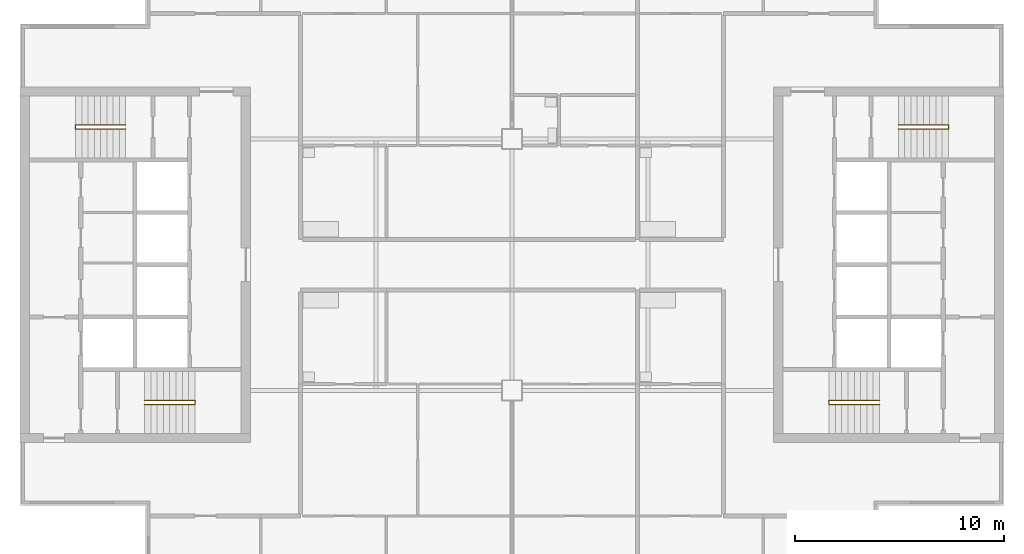
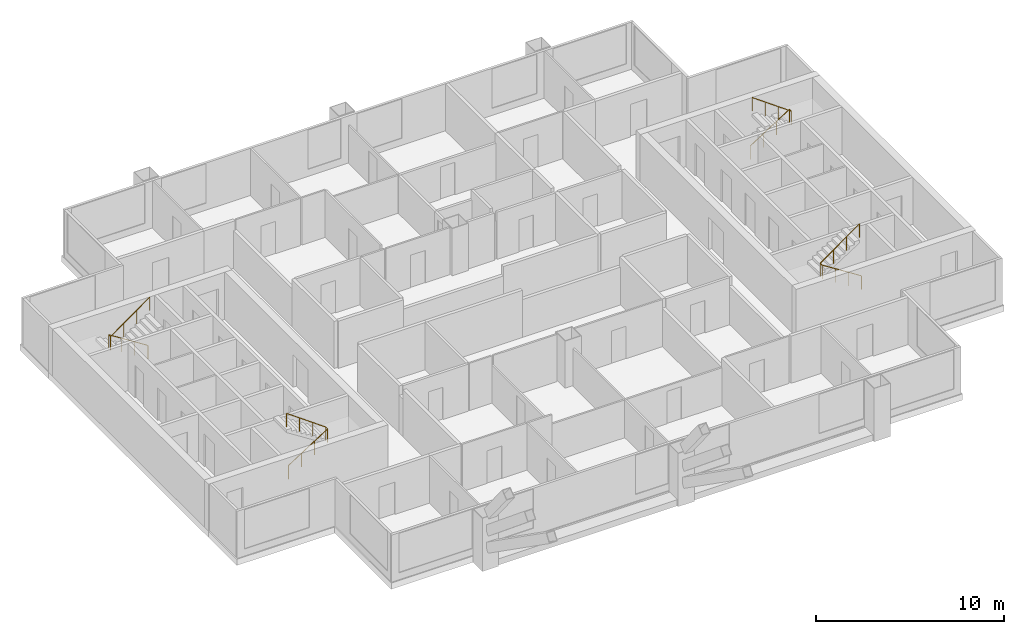
# One storey, part 7 of 8: 4 railings.
"""IFC4 building model written with IfcOpenShell, lengths in metres."""

from ifc_helpers import new_model, si_unit, direction, frame, origin, origin_2d, place, context, subcontext, project, spatial, circle, extrude, material, type_object, element, save


model = new_model("IFC4")

# Units and contexts
model_context = context("Model", 3, precision=1e-05, world=origin(), true_north=direction((0.0, 1.0)))
body_context = subcontext(model_context, "Body", "Model", "MODEL_VIEW")
ifc_project = project(units=[si_unit("LENGTHUNIT", "METRE"), si_unit("AREAUNIT", "SQUARE_METRE"), si_unit("VOLUMEUNIT", "CUBIC_METRE"), si_unit("PLANEANGLEUNIT", "RADIAN"), si_unit("MASSUNIT", "GRAM", prefix="KILO")], contexts=[model_context])

# Site, building, storey
site_placement = place(None, origin())
site = spatial("IfcSite", under=ifc_project, at=site_placement, CompositionType="ELEMENT")
building_placement = place(site_placement, origin())
building = spatial("IfcBuilding", under=site, at=building_placement, Name="Kitamizu Gate Tower and Museum", CompositionType="ELEMENT")
storey_placement = place(building_placement, frame((0.0, 0.0, 266.25)))
storey = spatial("IfcBuildingStorey", under=building, at=storey_placement, Name="L72", CompositionType="ELEMENT", Elevation=266.25)

# Railings
ifc_material = material(Name="Stainless steel SUS304", Category="steel")
railing_type = type_object("IfcRailingType", Name="Stair handrail 900", PredefinedType="HANDRAIL", material=ifc_material)
railing_1_placement = place(storey_placement, frame((18.449951171875, 23.324951171875, 0.191650390625)))
element("IfcRailing", 1, at=railing_1_placement, inside=storey, type_object=railing_type, Name="Stair handrail ST1", PredefinedType="HANDRAIL", context=body_context, shape_type="SweptSolid", body=[
    extrude(circle(Radius=0.02392578125, at=origin_2d()), frame((0.0, 0.0, 0.8759765625), z_axis=(0.842693018954, 0.0, 0.538394349715), x_axis=(0.0, 1.0, 0.0)), (0.0, 0.0, 1.0), 2.84814453125),
    extrude(circle(Radius=0.02392578125, at=origin_2d()), frame((2.400146484375, 0.0, 2.4091796875), z_axis=(0.0, 1.0, 0.0), x_axis=(-1.0, 0.0, 0.0)), (0.0, 0.0, 1.0), 0.199951171875),
    extrude(circle(Radius=0.02392578125, at=origin_2d()), frame((2.400146484375, 0.199951171875, 2.4091796875), z_axis=(-0.812055739374, 0.0, 0.583579879837), x_axis=(0.0, -1.0, 0.0)), (0.0, 0.0, 1.0), 2.95556640625),
    extrude(circle(Radius=0.02099609375, at=origin_2d()), origin(), (0.0, 0.0, 1.0), 0.851806640625),
    extrude(circle(Radius=0.02099609375, at=origin_2d()), frame((0.800048828125, 0.0, 0.51123046875)), (0.0, 0.0, 1.0), 0.851806640625),
    extrude(circle(Radius=0.02099609375, at=origin_2d()), frame((1.60009765625, 0.0, 1.022216796875)), (0.0, 0.0, 1.0), 0.851806640625),
    extrude(circle(Radius=0.02099609375, at=origin_2d()), frame((2.400146484375, 0.0, 1.533447265625)), (0.0, 0.0, 1.0), 0.851806640625),
    extrude(circle(Radius=0.02099609375, at=origin_2d()), frame((2.400146484375, 0.199951171875, 1.533447265625)), (0.0, 0.0, 1.0), 0.851806640625),
    extrude(circle(Radius=0.02099609375, at=origin_2d()), frame((1.60009765625, 0.199951171875, 2.1083984375)), (0.0, 0.0, 1.0), 0.851806640625),
    extrude(circle(Radius=0.02099609375, at=origin_2d()), frame((0.800048828125, 0.199951171875, 2.683349609375)), (0.0, 0.0, 1.0), 0.851806640625),
    extrude(circle(Radius=0.02099609375, at=origin_2d()), frame((0.0, 0.199951171875, 3.25830078125)), (0.0, 0.0, 1.0), 0.851806640625),
])
railing_2_placement = place(storey_placement, frame((17.550048828125, 36.675048828125, 0.191650390625)))
element("IfcRailing", 2, at=railing_2_placement, inside=storey, type_object=railing_type, Name="Stair handrail ST2", PredefinedType="HANDRAIL", context=body_context, shape_type="SweptSolid", body=[
    extrude(circle(Radius=0.02392578125, at=origin_2d()), frame((0.0, 0.0, 0.8759765625), z_axis=(-0.842693018954, 0.0, 0.538394349715), x_axis=(0.0, -1.0, 0.0)), (0.0, 0.0, 1.0), 2.84814453125),
    extrude(circle(Radius=0.02392578125, at=origin_2d()), frame((-2.400146484375, 0.0, 2.4091796875), z_axis=(0.0, -1.0, 0.0), x_axis=(1.0, 0.0, 0.0)), (0.0, 0.0, 1.0), 0.199951171875),
    extrude(circle(Radius=0.02392578125, at=origin_2d()), frame((-2.400146484375, -0.199951171875, 2.4091796875), z_axis=(0.812055739374, 0.0, 0.583579879837), x_axis=(0.0, 1.0, 0.0)), (0.0, 0.0, 1.0), 2.95556640625),
    extrude(circle(Radius=0.02099609375, at=origin_2d()), origin(), (0.0, 0.0, 1.0), 0.851806640625),
    extrude(circle(Radius=0.02099609375, at=origin_2d()), frame((-0.800048828125, 0.0, 0.51123046875)), (0.0, 0.0, 1.0), 0.851806640625),
    extrude(circle(Radius=0.02099609375, at=origin_2d()), frame((-1.60009765625, 0.0, 1.022216796875)), (0.0, 0.0, 1.0), 0.851806640625),
    extrude(circle(Radius=0.02099609375, at=origin_2d()), frame((-2.400146484375, 0.0, 1.533447265625)), (0.0, 0.0, 1.0), 0.851806640625),
    extrude(circle(Radius=0.02099609375, at=origin_2d()), frame((-2.400146484375, -0.199951171875, 1.533447265625)), (0.0, 0.0, 1.0), 0.851806640625),
    extrude(circle(Radius=0.02099609375, at=origin_2d()), frame((-1.60009765625, -0.199951171875, 2.1083984375)), (0.0, 0.0, 1.0), 0.851806640625),
    extrude(circle(Radius=0.02099609375, at=origin_2d()), frame((-0.800048828125, -0.199951171875, 2.683349609375)), (0.0, 0.0, 1.0), 0.851806640625),
    extrude(circle(Radius=0.02099609375, at=origin_2d()), frame((0.0, -0.199951171875, 3.25830078125)), (0.0, 0.0, 1.0), 0.851806640625),
])
railing_3_placement = place(storey_placement, frame((53.550048828125, 23.324951171875, 0.191650390625)))
element("IfcRailing", 3, at=railing_3_placement, inside=storey, type_object=railing_type, Name="Stair handrail ST3", PredefinedType="HANDRAIL", context=body_context, shape_type="SweptSolid", body=[
    extrude(circle(Radius=0.02392578125, at=origin_2d()), frame((0.0, 0.0, 0.8759765625), z_axis=(-0.842693018954, 0.0, 0.538394349715), x_axis=(0.0, -1.0, 0.0)), (0.0, 0.0, 1.0), 2.84814453125),
    extrude(circle(Radius=0.02392578125, at=origin_2d()), frame((-2.400146484375, 0.0, 2.4091796875), z_axis=(0.0, 1.0, 0.0), x_axis=(-1.0, 0.0, 0.0)), (0.0, 0.0, 1.0), 0.199951171875),
    extrude(circle(Radius=0.02392578125, at=origin_2d()), frame((-2.400146484375, 0.199951171875, 2.4091796875), z_axis=(0.812055739374, 0.0, 0.583579879837), x_axis=(0.0, 1.0, 0.0)), (0.0, 0.0, 1.0), 2.95556640625),
    extrude(circle(Radius=0.02099609375, at=origin_2d()), origin(), (0.0, 0.0, 1.0), 0.851806640625),
    extrude(circle(Radius=0.02099609375, at=origin_2d()), frame((-0.800048828125, 0.0, 0.51123046875)), (0.0, 0.0, 1.0), 0.851806640625),
    extrude(circle(Radius=0.02099609375, at=origin_2d()), frame((-1.60009765625, 0.0, 1.022216796875)), (0.0, 0.0, 1.0), 0.851806640625),
    extrude(circle(Radius=0.02099609375, at=origin_2d()), frame((-2.400146484375, 0.0, 1.533447265625)), (0.0, 0.0, 1.0), 0.851806640625),
    extrude(circle(Radius=0.02099609375, at=origin_2d()), frame((-2.400146484375, 0.199951171875, 1.533447265625)), (0.0, 0.0, 1.0), 0.851806640625),
    extrude(circle(Radius=0.02099609375, at=origin_2d()), frame((-1.60009765625, 0.199951171875, 2.1083984375)), (0.0, 0.0, 1.0), 0.851806640625),
    extrude(circle(Radius=0.02099609375, at=origin_2d()), frame((-0.800048828125, 0.199951171875, 2.683349609375)), (0.0, 0.0, 1.0), 0.851806640625),
    extrude(circle(Radius=0.02099609375, at=origin_2d()), frame((0.0, 0.199951171875, 3.25830078125)), (0.0, 0.0, 1.0), 0.851806640625),
])
railing_4_placement = place(storey_placement, frame((54.449951171875, 36.675048828125, 0.191650390625)))
element("IfcRailing", 4, at=railing_4_placement, inside=storey, type_object=railing_type, Name="Stair handrail ST4", PredefinedType="HANDRAIL", context=body_context, shape_type="SweptSolid", body=[
    extrude(circle(Radius=0.02392578125, at=origin_2d()), frame((0.0, 0.0, 0.8759765625), z_axis=(0.842693018954, 0.0, 0.538394349715), x_axis=(0.0, 1.0, 0.0)), (0.0, 0.0, 1.0), 2.84814453125),
    extrude(circle(Radius=0.02392578125, at=origin_2d()), frame((2.400146484375, 0.0, 2.4091796875), z_axis=(0.0, -1.0, 0.0), x_axis=(1.0, 0.0, 0.0)), (0.0, 0.0, 1.0), 0.199951171875),
    extrude(circle(Radius=0.02392578125, at=origin_2d()), frame((2.400146484375, -0.199951171875, 2.4091796875), z_axis=(-0.812055739374, 0.0, 0.583579879837), x_axis=(0.0, -1.0, 0.0)), (0.0, 0.0, 1.0), 2.95556640625),
    extrude(circle(Radius=0.02099609375, at=origin_2d()), origin(), (0.0, 0.0, 1.0), 0.851806640625),
    extrude(circle(Radius=0.02099609375, at=origin_2d()), frame((0.800048828125, 0.0, 0.51123046875)), (0.0, 0.0, 1.0), 0.851806640625),
    extrude(circle(Radius=0.02099609375, at=origin_2d()), frame((1.60009765625, 0.0, 1.022216796875)), (0.0, 0.0, 1.0), 0.851806640625),
    extrude(circle(Radius=0.02099609375, at=origin_2d()), frame((2.400146484375, 0.0, 1.533447265625)), (0.0, 0.0, 1.0), 0.851806640625),
    extrude(circle(Radius=0.02099609375, at=origin_2d()), frame((2.400146484375, -0.199951171875, 1.533447265625)), (0.0, 0.0, 1.0), 0.851806640625),
    extrude(circle(Radius=0.02099609375, at=origin_2d()), frame((1.60009765625, -0.199951171875, 2.1083984375)), (0.0, 0.0, 1.0), 0.851806640625),
    extrude(circle(Radius=0.02099609375, at=origin_2d()), frame((0.800048828125, -0.199951171875, 2.683349609375)), (0.0, 0.0, 1.0), 0.851806640625),
    extrude(circle(Radius=0.02099609375, at=origin_2d()), frame((0.0, -0.199951171875, 3.25830078125)), (0.0, 0.0, 1.0), 0.851806640625),
])

save(model, "model.ifc")
